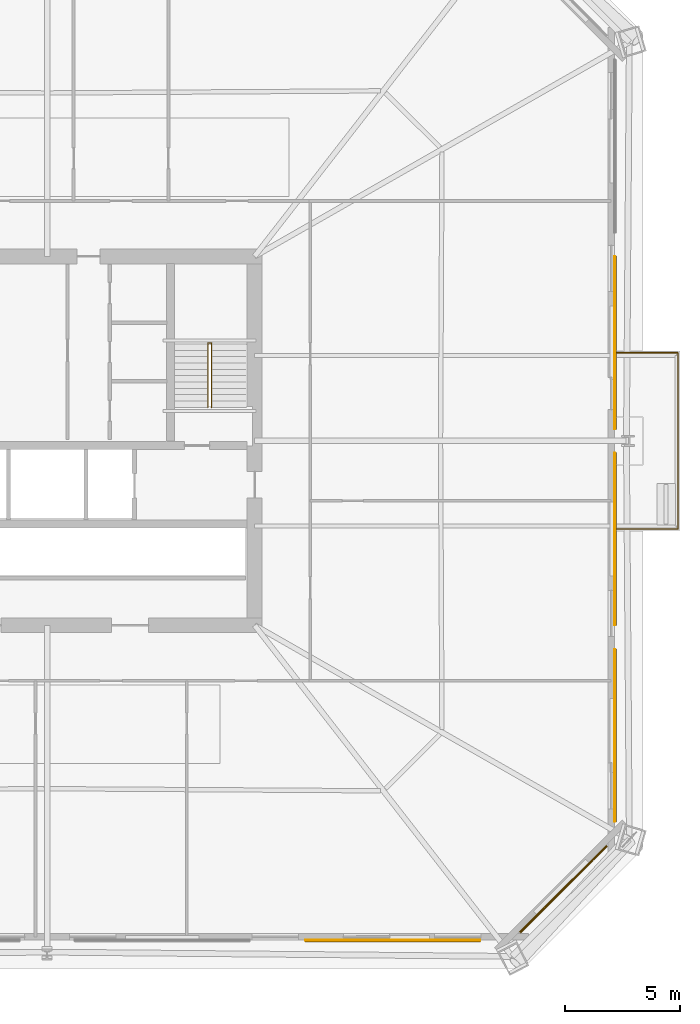
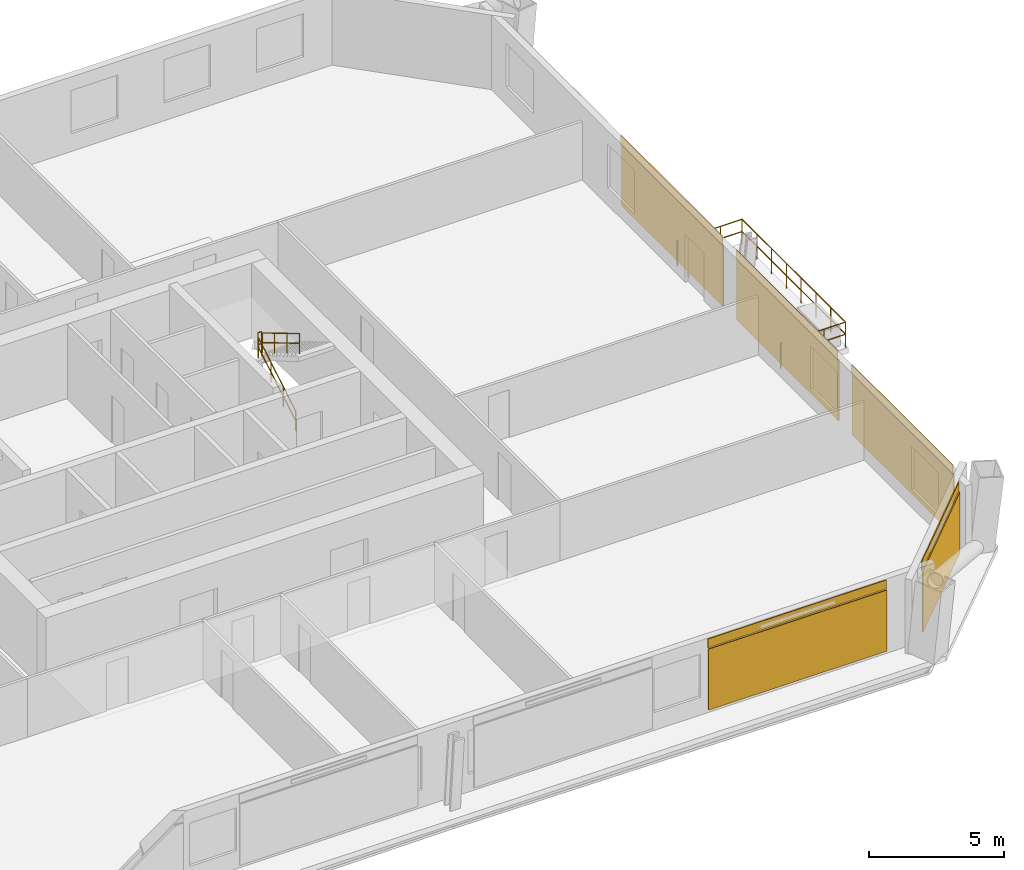
# One storey, part 10 of 11: 5 coverings, 5 shading devices, 4 railings.
"""IFC4 building model written with IfcOpenShell, lengths in metres."""

from ifc_helpers import new_model, si_unit, direction, frame, origin, origin_2d, place, context, subcontext, project, spatial, rectangle, circle, extrude, material, layer, layer_set, type_object, element, save


model = new_model("IFC4")

# Units and contexts
model_context = context("Model", 3, precision=1e-05, world=origin(), true_north=direction((0.0, 1.0)))
body_context = subcontext(model_context, "Body", "Model", "MODEL_VIEW")
ifc_project = project(units=[si_unit("LENGTHUNIT", "METRE"), si_unit("AREAUNIT", "SQUARE_METRE"), si_unit("VOLUMEUNIT", "CUBIC_METRE"), si_unit("PLANEANGLEUNIT", "RADIAN"), si_unit("MASSUNIT", "GRAM", prefix="KILO")], contexts=[model_context])

# Site, building, storey
site_placement = place(None, origin())
site = spatial("IfcSite", under=ifc_project, at=site_placement, CompositionType="ELEMENT")
building_placement = place(site_placement, origin())
building = spatial("IfcBuilding", under=site, at=building_placement, Name="Caelvoria Tower", CompositionType="ELEMENT")
storey_placement = place(building_placement, frame((0.0, 0.0, 67.60009765625)))
storey = spatial("IfcBuildingStorey", under=building, at=storey_placement, Name="L17", CompositionType="ELEMENT", Elevation=67.60009765625)

# Railing
ifc_material_1 = material(Name="Bronze Anodised Aluminium and Stainless Steel", Category="steel")
railing_type_1 = type_object("IfcRailingType", Name="Exterior Terrace and Balcony Guardrail 1150", PredefinedType="GUARDRAIL", material=ifc_material_1)
railing_1_placement = place(storey_placement, frame((70.610107421875, 28.179931640625, 0.0)))
element("IfcRailing", 1, at=railing_1_placement, inside=storey, type_object=railing_type_1, Name="Tree Balcony Guardrail TB-L17-E", PredefinedType="GUARDRAIL", context=body_context, shape_type="SweptSolid", body=[
    extrude(circle(Radius=0.02392578125, at=origin_2d()), frame((0.0, 0.0, 1.1259765625), z_axis=(1.0, 0.0, 0.0), x_axis=(0.0, 1.0, 0.0)), (0.0, 0.0, 1.0), 2.760009765625),
    extrude(circle(Radius=0.02392578125, at=origin_2d()), frame((0.0, 0.0, 0.574951171875), z_axis=(1.0, 0.0, 0.0), x_axis=(0.0, 1.0, 0.0)), (0.0, 0.0, 1.0), 2.760009765625),
    extrude(circle(Radius=0.02392578125, at=origin_2d()), frame((2.760009765625, 0.0, 1.1259765625), z_axis=(0.0, 1.0, 0.0), x_axis=(-1.0, 0.0, 0.0)), (0.0, 0.0, 1.0), 7.64013671875),
    extrude(circle(Radius=0.02392578125, at=origin_2d()), frame((2.760009765625, 0.0, 0.574951171875), z_axis=(0.0, 1.0, 0.0), x_axis=(-1.0, 0.0, 0.0)), (0.0, 0.0, 1.0), 7.64013671875),
    extrude(circle(Radius=0.02392578125, at=origin_2d()), frame((2.760009765625, 7.64013671875, 1.1259765625), z_axis=(-1.0, 0.0, 0.0), x_axis=(0.0, -1.0, 0.0)), (0.0, 0.0, 1.0), 2.760009765625),
    extrude(circle(Radius=0.02392578125, at=origin_2d()), frame((2.760009765625, 7.64013671875, 0.574951171875), z_axis=(-1.0, 0.0, 0.0), x_axis=(0.0, -1.0, 0.0)), (0.0, 0.0, 1.0), 2.760009765625),
    extrude(circle(Radius=0.02099609375, at=origin_2d()), origin(), (0.0, 0.0, 1.0), 1.101806640625),
    extrude(circle(Radius=0.02099609375, at=origin_2d()), frame((0.919921875, 0.0, 0.0)), (0.0, 0.0, 1.0), 1.101806640625),
    extrude(circle(Radius=0.02099609375, at=origin_2d()), frame((1.840087890625, 0.0, 0.0)), (0.0, 0.0, 1.0), 1.101806640625),
    extrude(circle(Radius=0.02099609375, at=origin_2d()), frame((2.760009765625, 0.0, 0.0)), (0.0, 0.0, 1.0), 1.101806640625),
    extrude(circle(Radius=0.02099609375, at=origin_2d()), frame((2.760009765625, 1.091552734375, 0.0)), (0.0, 0.0, 1.0), 1.101806640625),
    extrude(circle(Radius=0.02099609375, at=origin_2d()), frame((2.760009765625, 2.182861328125, 0.0)), (0.0, 0.0, 1.0), 1.101806640625),
    extrude(circle(Radius=0.02099609375, at=origin_2d()), frame((2.760009765625, 3.2744140625, 0.0)), (0.0, 0.0, 1.0), 1.101806640625),
    extrude(circle(Radius=0.02099609375, at=origin_2d()), frame((2.760009765625, 4.36572265625, 0.0)), (0.0, 0.0, 1.0), 1.101806640625),
    extrude(circle(Radius=0.02099609375, at=origin_2d()), frame((2.760009765625, 5.457275390625, 0.0)), (0.0, 0.0, 1.0), 1.101806640625),
    extrude(circle(Radius=0.02099609375, at=origin_2d()), frame((2.760009765625, 6.548583984375, 0.0)), (0.0, 0.0, 1.0), 1.101806640625),
    extrude(circle(Radius=0.02099609375, at=origin_2d()), frame((2.760009765625, 7.64013671875, 0.0)), (0.0, 0.0, 1.0), 1.101806640625),
    extrude(circle(Radius=0.02099609375, at=origin_2d()), frame((1.840087890625, 7.64013671875, 0.0)), (0.0, 0.0, 1.0), 1.101806640625),
    extrude(circle(Radius=0.02099609375, at=origin_2d()), frame((0.919921875, 7.64013671875, 0.0)), (0.0, 0.0, 1.0), 1.101806640625),
    extrude(circle(Radius=0.02099609375, at=origin_2d()), frame((0.0, 7.64013671875, 0.0)), (0.0, 0.0, 1.0), 1.101806640625),
])

# Coverings
ifc_material_2 = material(Name="Perforated Architectural Bronze Cladding Screen", Category="bronze")
ifc_layer_1 = layer(ifc_material_2, 0.0400390625, Name="Perforated Architectural Bronze Cladding Screen")
ifc_layer_set_1 = layer_set([ifc_layer_1], Name="Perforated Bronze Louvre Cladding Band 40 - Perforated Architectural Bronze Cladding Screen")
covering_type = type_object("IfcCoveringType", Name="Perforated Bronze Louvre Cladding Band 40", PredefinedType="CLADDING", material=ifc_layer_set_1)
covering_1_placement = place(storey_placement, frame((60.992431640625, 10.327880859375, 2.93994140625), z_axis=(0.0, 0.0, 1.0), x_axis=(1.0, 0.0, 0.0)))
element("IfcCovering", 2, at=covering_1_placement, inside=storey, type_object=covering_type, Name="Perforated Bronze Screen Band L17-E0-03", PredefinedType="CLADDING", context=body_context, shape_type="SweptSolid", body=[
    extrude(rectangle(XDim=7.60009765625, YDim=0.0400390625, at=origin_2d()), origin(), (0.0, 0.0, 1.0), 0.39990234375),
])
covering_2_placement = place(storey_placement, frame((68.381591796875, 12.568359375, 2.93994140625), z_axis=(0.0, 0.0, 1.0), x_axis=(0.707106781187, 0.707106781187, 0.0)))
element("IfcCovering", 3, at=covering_2_placement, inside=storey, type_object=covering_type, Name="Perforated Bronze Screen Band L17-E1-00", PredefinedType="CLADDING", context=body_context, shape_type="SweptSolid", body=[
    extrude(rectangle(XDim=5.309814453125, YDim=0.0400390625, at=origin_2d()), origin(), (0.0, 0.0, 1.0), 0.39990234375),
])
for number, where, z_axis, x_axis, name in (
    (4, (70.6220703125, 19.219970703125, 2.93994140625), (0.0, 0.0, 1.0), (0.0, 1.0, 0.0), "Perforated Bronze Screen Band L17-E2-00"),
    (5, (70.6220703125, 27.739990234375, 2.93994140625), (0.0, 0.0, 1.0), (0.0, 1.0, 0.0), "Perforated Bronze Screen Band L17-E2-01"),
    (6, (70.6220703125, 36.260009765625, 2.93994140625), (0.0, 0.0, 1.0), (0.0, 1.0, 0.0), "Perforated Bronze Screen Band L17-E2-02"),
):
    element("IfcCovering", number, at=place(storey_placement, frame(where, z_axis=z_axis, x_axis=x_axis)), inside=storey, type_object=covering_type, Name=name, PredefinedType="CLADDING", context=body_context, shape_type="SweptSolid", body=[
        extrude(rectangle(XDim=7.49755859375, YDim=0.0400390625, at=origin_2d()), origin(), (0.0, 0.0, 1.0), 0.39990234375),
    ])

# Shading devices
ifc_material_3 = material(Name="Perforated Architectural Bronze Alloy Panel", Category="bronze")
ifc_layer_2 = layer(ifc_material_3, 0.044921875, Name="Perforated Architectural Bronze Alloy Panel")
ifc_layer_set_2 = layer_set([ifc_layer_2], Name="Perforated Bronze Solar Screen Panel SCREEN - Perforated Architectural Bronze Alloy Panel")
shading_device_type = type_object("IfcShadingDeviceType", Name="Perforated Bronze Solar Screen Panel SCREEN", PredefinedType="USERDEFINED", material=ifc_layer_set_2)
shading_device_1_placement = place(storey_placement, frame((60.992431640625, 10.284912109375, 0.159912109375), z_axis=(0.0, 0.0, 1.0), x_axis=(1.0, 0.0, 0.0)))
element("IfcShadingDevice", 7, at=shading_device_1_placement, inside=storey, type_object=shading_device_type, Name="Perforated Bronze Solar Screen L17-E0-03", ObjectType="SCREEN", PredefinedType="USERDEFINED", context=body_context, shape_type="SweptSolid", body=[
    extrude(rectangle(XDim=7.60009765625, YDim=0.044921875, at=origin_2d()), origin(), (0.0, 0.0, 1.0), 2.75),
])
shading_device_2_placement = place(storey_placement, frame((68.412109375, 12.537841796875, 0.159912109375), z_axis=(0.0, 0.0, 1.0), x_axis=(0.707106781187, 0.707106781187, 0.0)))
element("IfcShadingDevice", 8, at=shading_device_2_placement, inside=storey, type_object=shading_device_type, Name="Perforated Bronze Solar Screen L17-E1-00", ObjectType="SCREEN", PredefinedType="USERDEFINED", context=body_context, shape_type="SweptSolid", body=[
    extrude(rectangle(XDim=5.309814453125, YDim=0.044921875, at=origin_2d()), origin(), (0.0, 0.0, 1.0), 2.75),
])
for number, where, z_axis, x_axis, name in (
    (9, (70.6650390625, 19.219970703125, 0.159912109375), (0.0, 0.0, 1.0), (0.0, 1.0, 0.0), "Perforated Bronze Solar Screen L17-E2-00"),
    (10, (70.6650390625, 27.739990234375, 0.159912109375), (0.0, 0.0, 1.0), (0.0, 1.0, 0.0), "Perforated Bronze Solar Screen L17-E2-01"),
    (11, (70.6650390625, 36.260009765625, 0.159912109375), (0.0, 0.0, 1.0), (0.0, 1.0, 0.0), "Perforated Bronze Solar Screen L17-E2-02"),
):
    element("IfcShadingDevice", number, at=place(storey_placement, frame(where, z_axis=z_axis, x_axis=x_axis)), inside=storey, type_object=shading_device_type, Name=name, ObjectType="SCREEN", PredefinedType="USERDEFINED", context=body_context, shape_type="SweptSolid", body=[
        extrude(rectangle(XDim=7.49755859375, YDim=0.044921875, at=origin_2d()), origin(), (0.0, 0.0, 1.0), 2.75),
    ])

# Railings
ifc_material_4 = material(Name="Brushed Stainless Steel Tube", Category="steel")
railing_type_2 = type_object("IfcRailingType", Name="Stair Tubular Stainless Handrail 920", PredefinedType="HANDRAIL", material=ifc_material_4)
railing_2_placement = place(storey_placement, frame((52.969970703125, 33.449951171875, 0.16357421875)))
element("IfcRailing", 12, at=railing_2_placement, inside=storey, type_object=railing_type_2, Name="ST-02 Flight 1 Handrail L17", PredefinedType="HANDRAIL", context=body_context, shape_type="SweptSolid", body=[
    extrude(circle(Radius=0.02392578125, at=origin_2d()), frame((0.0, 0.0, 0.89599609375), z_axis=(0.0, 0.859385484447, 0.511328259656), x_axis=(-1.0, 0.0, 0.0)), (0.0, 0.0, 1.0), 3.199951171875),
    extrude(circle(Radius=0.02392578125, at=origin_2d()), frame((0.0, 0.0, 0.4599609375), z_axis=(0.0, 0.859385484447, 0.511328259656), x_axis=(-1.0, 0.0, 0.0)), (0.0, 0.0, 1.0), 3.199951171875),
    extrude(circle(Radius=0.02099609375, at=origin_2d()), origin(), (0.0, 0.0, 1.0), 0.871826171875),
    extrude(circle(Radius=0.02099609375, at=origin_2d()), frame((0.0, 0.916748046875, 0.54541015625)), (0.0, 0.0, 1.0), 0.871826171875),
    extrude(circle(Radius=0.02099609375, at=origin_2d()), frame((0.0, 1.833251953125, 1.0908203125)), (0.0, 0.0, 1.0), 0.871826171875),
    extrude(circle(Radius=0.02099609375, at=origin_2d()), frame((0.0, 2.75, 1.63623046875)), (0.0, 0.0, 1.0), 0.871826171875),
])
railing_3_placement = place(storey_placement, frame((53.1298828125, 36.199951171875, 1.963623046875)))
element("IfcRailing", 13, at=railing_3_placement, inside=storey, type_object=railing_type_2, Name="ST-02 Flight 2 Handrail L17", PredefinedType="HANDRAIL", context=body_context, shape_type="SweptSolid", body=[
    extrude(circle(Radius=0.02392578125, at=origin_2d()), frame((0.0, 0.0, 0.89599609375), z_axis=(0.0, -0.859385484447, 0.511328259656), x_axis=(1.0, 0.0, 0.0)), (0.0, 0.0, 1.0), 3.199951171875),
    extrude(circle(Radius=0.02392578125, at=origin_2d()), frame((0.0, 0.0, 0.4599609375), z_axis=(0.0, -0.859385484447, 0.511328259656), x_axis=(1.0, 0.0, 0.0)), (0.0, 0.0, 1.0), 3.199951171875),
    extrude(circle(Radius=0.02099609375, at=origin_2d()), origin(), (0.0, 0.0, 1.0), 0.871826171875),
    extrude(circle(Radius=0.02099609375, at=origin_2d()), frame((0.0, -0.916748046875, 0.54541015625)), (0.0, 0.0, 1.0), 0.871826171875),
    extrude(circle(Radius=0.02099609375, at=origin_2d()), frame((0.0, -1.833251953125, 1.0908203125)), (0.0, 0.0, 1.0), 0.871826171875),
    extrude(circle(Radius=0.02099609375, at=origin_2d()), frame((0.0, -2.75, 1.63623046875)), (0.0, 0.0, 1.0), 0.871826171875),
])
ifc_material_5 = material(Name="Brushed Stainless Steel Guardrail", Category="steel")
railing_type_3 = type_object("IfcRailingType", Name="Stair Well and Ramp Guardrail 1120", PredefinedType="GUARDRAIL", material=ifc_material_5)
railing_4_placement = place(storey_placement, frame((52.969970703125, 36.239990234375, 1.7998046875)))
element("IfcRailing", 14, at=railing_4_placement, inside=storey, type_object=railing_type_3, Name="ST-02 Half-Landing Well Guard L17", PredefinedType="GUARDRAIL", context=body_context, shape_type="SweptSolid", body=[
    extrude(circle(Radius=0.02392578125, at=origin_2d()), frame((0.0, 0.0, 1.09619140625), z_axis=(1.0, 0.0, 0.0), x_axis=(0.0, 1.0, 0.0)), (0.0, 0.0, 1.0), 0.159912109375),
    extrude(circle(Radius=0.02392578125, at=origin_2d()), frame((0.0, 0.0, 0.56005859375), z_axis=(1.0, 0.0, 0.0), x_axis=(0.0, 1.0, 0.0)), (0.0, 0.0, 1.0), 0.159912109375),
    extrude(circle(Radius=0.02099609375, at=origin_2d()), origin(), (0.0, 0.0, 1.0), 1.072021484375),
    extrude(circle(Radius=0.02099609375, at=origin_2d()), frame((0.159912109375, 0.0, 0.0)), (0.0, 0.0, 1.0), 1.072021484375),
])

save(model, "model.ifc")
